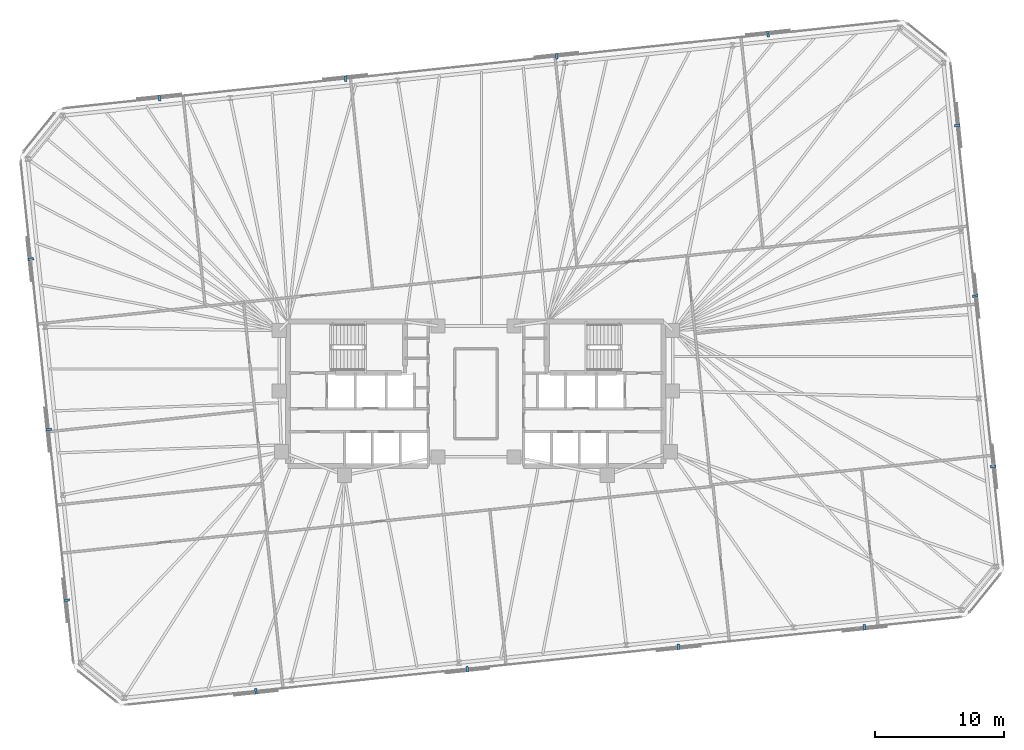
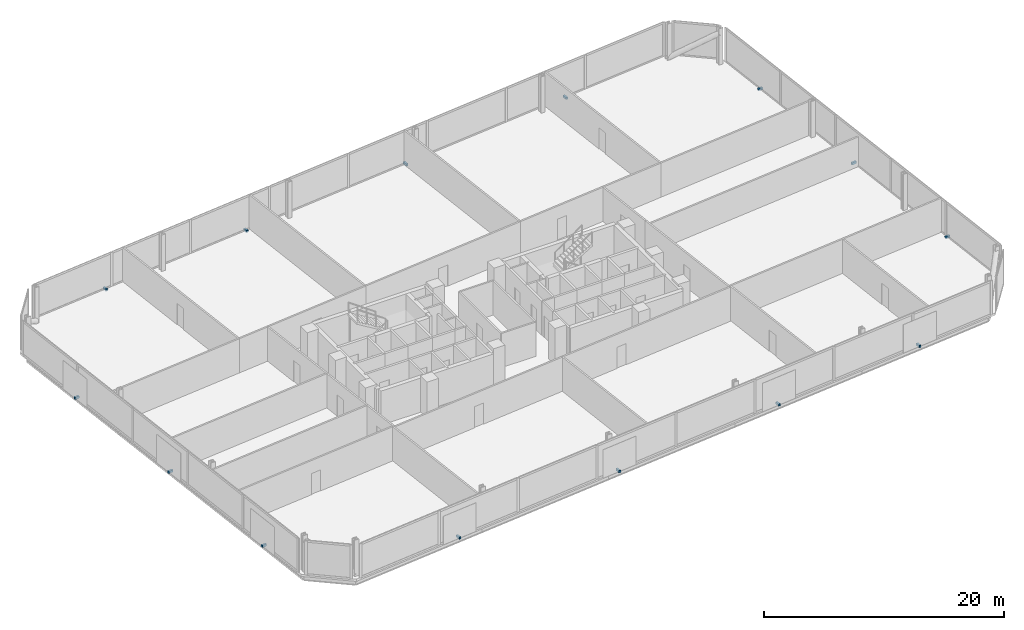
# One storey, part 17 of 18: 14 discrete accessories.
"""IFC4 building model written with IfcOpenShell, lengths in metres."""

from ifc_helpers import new_model, si_unit, direction, frame, origin, origin_2d, place, context, subcontext, project, spatial, rectangle, extrude, material, type_object, element, save


model = new_model("IFC4")

# Units and contexts
model_context = context("Model", 3, precision=1e-05, world=origin(), true_north=direction((0.0, 1.0)))
body_context = subcontext(model_context, "Body", "Model", "MODEL_VIEW")
ifc_project = project(units=[si_unit("LENGTHUNIT", "METRE"), si_unit("AREAUNIT", "SQUARE_METRE"), si_unit("VOLUMEUNIT", "CUBIC_METRE"), si_unit("PLANEANGLEUNIT", "RADIAN"), si_unit("MASSUNIT", "GRAM", prefix="KILO")], contexts=[model_context])

# Site, building, storey
site_placement = place(None, origin())
site = spatial("IfcSite", under=ifc_project, at=site_placement, CompositionType="ELEMENT")
building_placement = place(site_placement, origin())
building = spatial("IfcBuilding", under=site, at=building_placement, Name="Menara Jurai Vektor", CompositionType="ELEMENT")
storey_placement = place(building_placement, frame((0.0, 0.0, 117.0)))
storey = spatial("IfcBuildingStorey", under=building, at=storey_placement, Name="L29", CompositionType="ELEMENT", Elevation=117.0)

# Discrete accessories
ifc_material = material(Name="Steel S355", Category="steel")
discrete_accessory_type = type_object("IfcDiscreteAccessoryType", Name="ENV-ACC-BRACKET", PredefinedType="BRACKET", material=ifc_material)
for number, where, z_axis, x_axis, name in (
    (1, (-17.052001953125, -23.07470703125, -0.1298828125), (0.0, 0.0, 1.0), (0.994521895368, 0.104528463268, 0.0), "Solar Screen Stand-Off Bracket L29-S01"),
    (2, (-0.667236328125, -21.3525390625, -0.1298828125), (0.0, 0.0, 1.0), (0.994521895368, 0.104528463268, 0.0), "Solar Screen Stand-Off Bracket L29-S02"),
    (3, (15.717529296875, -19.63037109375, -0.1298828125), (0.0, 0.0, 1.0), (0.994521895368, 0.104528463268, 0.0), "Solar Screen Stand-Off Bracket L29-S03"),
    (4, (30.13623046875, -18.114990234375, -0.1298828125), (0.0, 0.0, 1.0), (0.994521895368, 0.104528463268, 0.0), "Solar Screen Stand-Off Bracket L29-S04"),
    (5, (40.105712890625, -5.648193359375, -0.1298828125), (0.0, 0.0, 1.0), (-0.104528463268, 0.994521895368, 0.0), "Solar Screen Stand-Off Bracket L29-S05"),
    (6, (38.71533203125, 7.5791015625, -0.1298828125), (0.0, 0.0, 1.0), (-0.104528463268, 0.994521895368, 0.0), "Solar Screen Stand-Off Bracket L29-S06"),
    (7, (37.3251953125, 20.80615234375, -0.1298828125), (0.0, 0.0, 1.0), (-0.104528463268, 0.994521895368, 0.0), "Solar Screen Stand-Off Bracket L29-S07"),
    (8, (22.65185546875, 27.87451171875, -0.1298828125), (0.0, 0.0, 1.0), (-0.994521895368, -0.104528463268, 0.0), "Solar Screen Stand-Off Bracket L29-S08"),
    (9, (6.26708984375, 26.152587890625, -0.1298828125), (0.0, 0.0, 1.0), (-0.994521895368, -0.104528463268, 0.0), "Solar Screen Stand-Off Bracket L29-S09"),
    (10, (-10.11767578125, 24.430419921875, -0.1298828125), (0.0, 0.0, 1.0), (-0.994521895368, -0.104528463268, 0.0), "Solar Screen Stand-Off Bracket L29-S10"),
    (11, (-24.5361328125, 22.9150390625, -0.1298828125), (0.0, 0.0, 1.0), (-0.994521895368, -0.104528463268, 0.0), "Solar Screen Stand-Off Bracket L29-S11"),
    (12, (-34.505615234375, 10.447998046875, -0.1298828125), (0.0, 0.0, 1.0), (0.104528463268, -0.994521895368, 0.0), "Solar Screen Stand-Off Bracket L29-S12"),
    (13, (-33.115478515625, -2.779052734375, -0.1298828125), (0.0, 0.0, 1.0), (0.104528463268, -0.994521895368, 0.0), "Solar Screen Stand-Off Bracket L29-S13"),
    (14, (-31.72509765625, -16.006103515625, -0.1298828125), (0.0, 0.0, 1.0), (0.104528463268, -0.994521895368, 0.0), "Solar Screen Stand-Off Bracket L29-S14"),
):
    element("IfcDiscreteAccessory", number, at=place(storey_placement, frame(where, z_axis=z_axis, x_axis=x_axis)), inside=storey, type_object=discrete_accessory_type, Name=name, PredefinedType="BRACKET", context=body_context, shape_type="SweptSolid", body=[
        extrude(rectangle(XDim=0.179931640625, YDim=0.43994140625, at=origin_2d()), origin(), (0.0, 0.0, 1.0), 0.219970703125),
    ])

save(model, "model.ifc")
